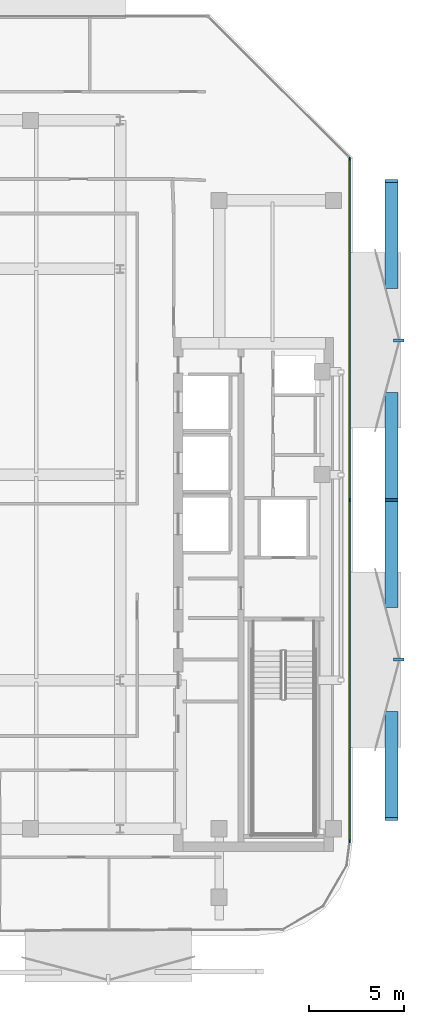
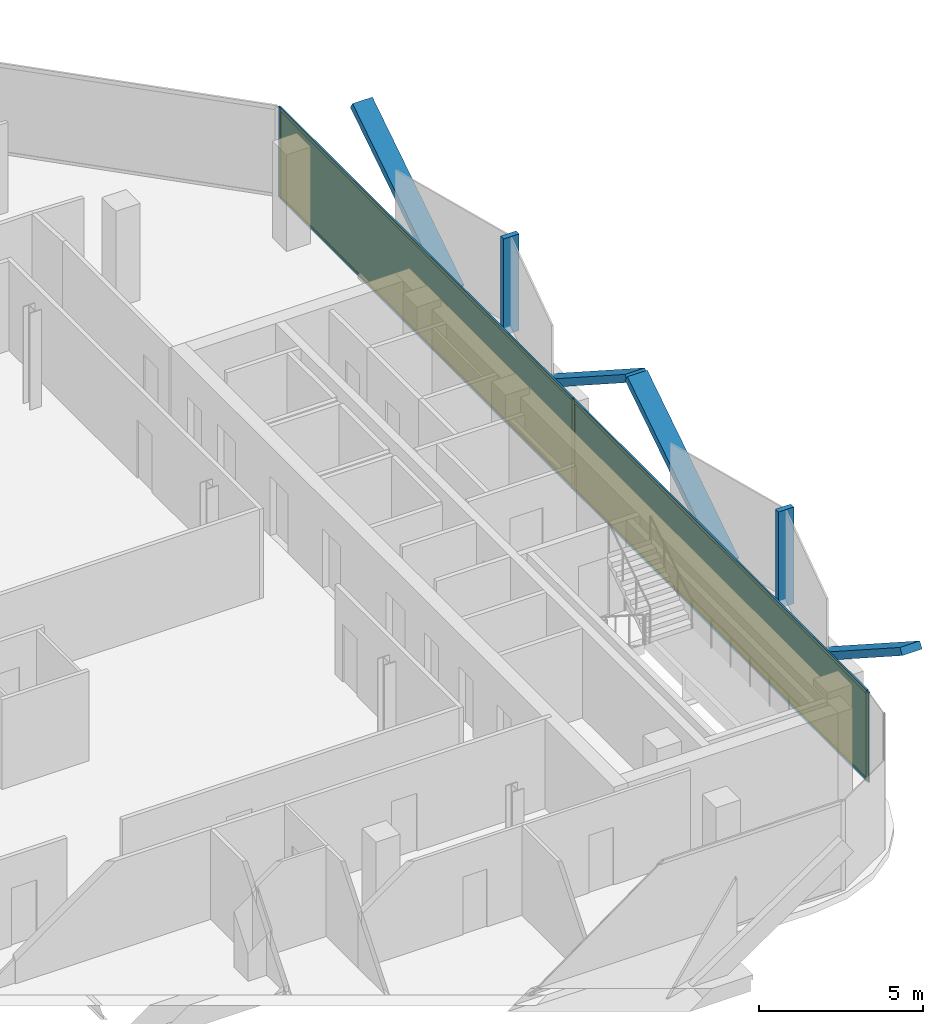
# One storey, part 10 of 15: 13 members, 2 plates, 1 curtain wall.
"""IFC4 building model written with IfcOpenShell, lengths in metres."""

import ifcopenshell
import ifcopenshell.guid

model = None  # the IFC model being written
_history = None  # IfcOwnerHistory: only IFC2X3 demands one
_inside = {}  # id of a spatial element -> (the spatial element, [elements in it])
_under = {}  # id of a project, library or spatial element -> (it, [spatial elements below it])
_declared = {}  # id of a project -> (the project, [libraries it declares])
_typed = {}  # id of a type object -> (the type object, [elements of that type])
_made_of = {}  # id of a material, layer set ... -> (it, [elements and type objects made of it])


def new_model(schema):
    """Start an empty IFC model of exactly this schema.

    Asked for "IFC4X3", IfcOpenShell would pick the latest addendum, in which some entities
    have other attributes; the version numbers below select the first issue.
    IFC2X3 requires an IfcOwnerHistory on every rooted entity: one is made here for all.
    """
    global model, _history
    if schema == "IFC4X3":
        model = ifcopenshell.file(schema_version=(4, 3, 0, 0))
    else:
        model = ifcopenshell.file(schema=schema)
    _inside.clear()
    _under.clear()
    _declared.clear()
    _typed.clear()
    _made_of.clear()
    _history = None
    if model.schema == "IFC2X3":
        org = make("IfcOrganization", Name="unknown")
        user = make(
            "IfcPersonAndOrganization",
            ThePerson=make("IfcPerson", FamilyName="unknown"),
            TheOrganization=org,
        )
        app = make(
            "IfcApplication",
            ApplicationDeveloper=org,
            Version="unknown",
            ApplicationFullName="unknown",
            ApplicationIdentifier="unknown",
        )
        _history = make(
            "IfcOwnerHistory",
            OwningUser=user,
            OwningApplication=app,
            ChangeAction="ADDED",
            CreationDate=0,
        )
    return model


def make(cls, **values):
    """One entity of the class cls with the attributes given. An attribute that is None is left unset."""
    return model.create_entity(
        cls, **{name: value for name, value in values.items() if value is not None}
    )


def rooted(cls, **values):
    """An entity with a GlobalId (a new one), such as an element, a storey or a relation."""
    return make(cls, GlobalId=ifcopenshell.guid.new(), OwnerHistory=_history, **values)


def si_unit(unit_type, name, prefix=None):
    """IfcSIUnit, for example si_unit("LENGTHUNIT", "METRE", prefix="MILLI")."""
    return make("IfcSIUnit", UnitType=unit_type, Prefix=prefix, Name=name)


def assignment(units):
    """IfcUnitAssignment: the units of a project."""
    return None if units is None else make("IfcUnitAssignment", Units=units)


def point(xyz):
    """IfcCartesianPoint."""
    return None if xyz is None else make("IfcCartesianPoint", Coordinates=xyz)


def direction(xyz):
    """IfcDirection."""
    return None if xyz is None else make("IfcDirection", DirectionRatios=xyz)


def frame(location, z_axis=None, x_axis=None):
    """IfcAxis2Placement3D, a coordinate frame: its origin and axes. An axis left out is left unset."""
    return make(
        "IfcAxis2Placement3D",
        Location=point(location),
        Axis=direction(z_axis),
        RefDirection=direction(x_axis),
    )


def frame_2d(location, x_axis=None):
    """IfcAxis2Placement2D, a coordinate frame in the plane: its origin and x axis."""
    return make(
        "IfcAxis2Placement2D", Location=point(location), RefDirection=direction(x_axis)
    )


def origin():
    """The frame at (0, 0, 0) with its axes left unset."""
    return frame((0.0, 0.0, 0.0))


def origin_2d():
    """The frame at (0, 0) in the plane with its x axis left unset."""
    return frame_2d((0.0, 0.0))


def place(relative_to, where):
    """IfcLocalPlacement: puts the frame where relative to a parent placement (None: the world)."""
    return make(
        "IfcLocalPlacement", PlacementRelTo=relative_to, RelativePlacement=where
    )


def context(
    kind, dimensions, precision=None, world=None, true_north=None, identifier=None
):
    """IfcGeometricRepresentationContext, for example the 3D "Model" context."""
    return make(
        "IfcGeometricRepresentationContext",
        ContextIdentifier=identifier,
        ContextType=kind,
        CoordinateSpaceDimension=dimensions,
        Precision=precision,
        WorldCoordinateSystem=world,
        TrueNorth=true_north,
    )


def subcontext(parent, identifier, kind, view, scale=None):
    """IfcGeometricRepresentationSubContext, for example "Body" below "Model"."""
    return make(
        "IfcGeometricRepresentationSubContext",
        ContextIdentifier=identifier,
        ContextType=kind,
        ParentContext=parent,
        TargetScale=scale,
        TargetView=view,
    )


def project(units=None, contexts=None):
    """IfcProject with its units and contexts."""
    return rooted(
        "IfcProject",
        Name="project",
        RepresentationContexts=contexts,
        UnitsInContext=assignment(units),
    )


def spatial(cls, under=None, at=None, **own):
    """A site, building, storey or space (cls), placed at a placement, below another one or the project."""
    s = rooted(cls, ObjectPlacement=at, **own)
    if under is not None:
        _under.setdefault(under.id(), (under, []))[1].append(s)
    return s


def profile(cls, at=None, kind="AREA", **sizes):
    """A parametric profile (cls). Its sizes go by their IFC names, for example OverallWidth=200.0."""
    return make(cls, ProfileType=kind, Position=at, **sizes)


def rectangle(**sizes):
    """IfcRectangleProfileDef."""
    return profile("IfcRectangleProfileDef", **sizes)


def extrude(swept, where, along, depth):
    """IfcExtrudedAreaSolid: the profile swept, set in the frame where, extruded along a direction by depth."""
    return make(
        "IfcExtrudedAreaSolid",
        SweptArea=swept,
        Position=where,
        ExtrudedDirection=direction(along),
        Depth=depth,
    )


def shape(context_of_items, identifier, shape_type, items):
    """IfcShapeRepresentation: the items that make up one representation, for example the "Body"."""
    return make(
        "IfcShapeRepresentation",
        ContextOfItems=context_of_items,
        RepresentationIdentifier=identifier,
        RepresentationType=shape_type,
        Items=items,
    )


def material(Name=None, Category=None):
    """IfcMaterial."""
    return make("IfcMaterial", Name=Name, Category=Category)


def layer(
    of_material, thickness, ventilated=None, Name=None, Category=None, Priority=None
):
    """IfcMaterialLayer: one layer of a wall or slab, of a material (None: an air gap)."""
    return make(
        "IfcMaterialLayer",
        Material=of_material,
        LayerThickness=thickness,
        IsVentilated=ventilated,
        Name=Name,
        Category=Category,
        Priority=Priority,
    )


def layer_set(layers, Name=None):
    """IfcMaterialLayerSet."""
    return make("IfcMaterialLayerSet", MaterialLayers=layers, LayerSetName=Name)


def material_profile(
    of_material, cross_section, Name=None, Category=None, Priority=None
):
    """IfcMaterialProfile: a cross section and its material."""
    return make(
        "IfcMaterialProfile",
        Name=Name,
        Material=of_material,
        Profile=cross_section,
        Priority=Priority,
        Category=Category,
    )


def profile_set(profiles, Name=None, composite=None):
    """IfcMaterialProfileSet."""
    return make(
        "IfcMaterialProfileSet",
        Name=Name,
        MaterialProfiles=profiles,
        CompositeProfile=composite,
    )


def made_of(thing, what):
    """Note that an element or type object is made of a material, layer set ...; save() writes the relation."""
    if what is not None:
        _made_of.setdefault(what.id(), (what, []))[1].append(thing)
    return thing


def type_object(cls, material=None, **own):
    """A type object (cls), such as IfcWallType, which elements share."""
    return made_of(rooted(cls, **own), material)


def element(
    cls,
    number,
    at=None,
    inside=None,
    cuts=None,
    type_object=None,
    material=None,
    context=None,
    identifier="Body",
    shape_type=None,
    held_by="IfcProductDefinitionShape",
    body=None,
    shapes=None,
    **own,
):
    """One element of the class cls, such as IfcWall. Its Tag is "e" and its number.

    at: its placement. inside: the storey or other place that contains it. cuts: it is an
    opening in that element (IfcRelVoidsElement). A single representation is given by context,
    identifier, shape_type and body (its items); several are given by shapes. held_by: the class
    of the entity that holds the representations. save() writes the other relations.
    """
    e = rooted(cls, Tag="e%d" % number, ObjectPlacement=at, **own)
    if body is not None:
        shapes = [shape(context, identifier, shape_type, body)]
    if shapes is not None:
        e.Representation = make(held_by, Representations=shapes)
    if inside is not None:
        _inside.setdefault(inside.id(), (inside, []))[1].append(e)
    if cuts is not None:
        rooted(
            "IfcRelVoidsElement", RelatingBuildingElement=cuts, RelatedOpeningElement=e
        )
    if type_object is not None:
        _typed.setdefault(type_object.id(), (type_object, []))[1].append(e)
    return made_of(e, material)


def aggregate(whole, parts):
    """IfcRelAggregates: a whole, such as a stair, and the parts it consists of."""
    return rooted("IfcRelAggregates", RelatingObject=whole, RelatedObjects=parts)


def save(model, path):
    """Write the relations noted so far, then the file.

    IfcRelAggregates (storeys below a building ...), IfcRelContainedInSpatialStructure (elements
    in a storey), IfcRelDefinesByType, IfcRelAssociatesMaterial and IfcRelDeclares: one each for
    every whole, place, type object, material and project.
    """
    for whole, parts in _under.values():
        aggregate(whole, parts)
    for where, things in _inside.values():
        rooted(
            "IfcRelContainedInSpatialStructure",
            RelatedElements=things,
            RelatingStructure=where,
        )
    for kind, things in _typed.values():
        rooted("IfcRelDefinesByType", RelatedObjects=things, RelatingType=kind)
    for what, things in _made_of.values():
        rooted("IfcRelAssociatesMaterial", RelatedObjects=things, RelatingMaterial=what)
    for by, libraries in _declared.values():
        rooted("IfcRelDeclares", RelatingContext=by, RelatedDefinitions=libraries)
    model.write(path)


model = new_model("IFC4")

# Units and contexts
model_context = context("Model", 3, precision=1e-05, world=origin(), true_north=direction((0.0, 1.0)))
body_context = subcontext(model_context, "Body", "Model", "MODEL_VIEW")
ifc_project = project(units=[si_unit("LENGTHUNIT", "METRE"), si_unit("AREAUNIT", "SQUARE_METRE"), si_unit("VOLUMEUNIT", "CUBIC_METRE"), si_unit("PLANEANGLEUNIT", "RADIAN"), si_unit("MASSUNIT", "GRAM", prefix="KILO")], contexts=[model_context])

# Member
ifc_material_1 = material(Name="Anodised Bronze Aluminium 6063-T6", Category="aluminium")
ifc_material_profile_1 = material_profile(ifc_material_1, rectangle(XDim=0.260009765625, YDim=0.699951171875, at=origin_2d()))
ifc_profile_set_1 = profile_set([ifc_material_profile_1], Name="Anodised Bronze Aluminium 6063-T6")
member_type_1 = type_object("IfcMemberType", Name="Bronze Diamond Solar-Screen Lattice Rib BDL-700", PredefinedType="MULLION", material=ifc_profile_set_1)
site_placement = place(None, origin())
building_placement = place(site_placement, origin())
storey_placement = place(building_placement, frame((0.0, 0.0, 262.0)))
member_1_placement = place(storey_placement, frame((23.449951171875, 4.251220703125, -0.1298828125), z_axis=(0.0, -0.840558395316, 0.541720946673), x_axis=(0.0, -0.541720946673, -0.840558395316)))
member_1 = element("IfcMember", 1, at=member_1_placement, type_object=member_type_1, Name="L62 Bronze Diamond Solar Screen Lattice Rib 431A", PredefinedType="MULLION", context=body_context, shape_type="SweptSolid", body=[
    extrude(rectangle(XDim=0.260009765625, YDim=0.699951171875, at=origin_2d()), origin(), (0.0, 0.0, 1.0), 6.645263671875),
])

member_2_placement = place(storey_placement, frame((23.449951171875, 9.83642578125, -0.1298828125), z_axis=(0.0, 0.840558395316, 0.541720946673), x_axis=(0.0, 0.541720946673, -0.840558395316)))
member_2 = element("IfcMember", 2, at=member_2_placement, type_object=member_type_1, Name="L62 Bronze Diamond Solar Screen Lattice Rib 431B", PredefinedType="MULLION", context=body_context, shape_type="SweptSolid", body=[
    extrude(rectangle(XDim=0.260009765625, YDim=0.699951171875, at=origin_2d()), origin(), (0.0, 0.0, 1.0), 6.645263671875),
])

member_3_placement = place(storey_placement, frame((23.449951171875, -12.50537109375, -0.1298828125), z_axis=(0.0, -0.840547613244, 0.541737676251), x_axis=(0.0, -0.541737676251, -0.840547613244)))
member_3 = element("IfcMember", 3, at=member_3_placement, type_object=member_type_1, Name="L62 Bronze Diamond Solar Screen Lattice Rib 432A", PredefinedType="MULLION", context=body_context, shape_type="SweptSolid", body=[
    extrude(rectangle(XDim=0.260009765625, YDim=0.699951171875, at=origin_2d()), origin(), (0.0, 0.0, 1.0), 6.64501953125),
])

member_4_placement = place(storey_placement, frame((23.449951171875, -6.919921875, -0.1298828125), z_axis=(0.0, 0.840547613244, 0.541737676251), x_axis=(0.0, 0.541737676251, -0.840547613244)))
member_4 = element("IfcMember", 4, at=member_4_placement, type_object=member_type_1, Name="L62 Bronze Diamond Solar Screen Lattice Rib 432B", PredefinedType="MULLION", context=body_context, shape_type="SweptSolid", body=[
    extrude(rectangle(XDim=0.260009765625, YDim=0.699951171875, at=origin_2d()), origin(), (0.0, 0.0, 1.0), 6.64501953125),
])

ifc_material_2 = material(Name="Anodised Bronze Aluminium 6063-T6", Category="aluminium")
ifc_material_profile_2 = material_profile(ifc_material_2, rectangle(XDim=0.179931640625, YDim=0.5400390625, at=origin_2d()))
ifc_profile_set_2 = profile_set([ifc_material_profile_2], Name="Anodised Bronze Aluminium 6063-T6")
member_type_2 = type_object("IfcMemberType", Name="Bronze Solar-Screen Vertical Fold Fin BSF-540", PredefinedType="MULLION", material=ifc_profile_set_2)
member_5_placement = place(storey_placement, frame((23.840087890625, 7.043701171875, -0.1298828125), z_axis=(0.0, 0.0, 1.0), x_axis=(0.0, -1.0, 0.0)))
member_5 = element("IfcMember", 5, at=member_5_placement, type_object=member_type_2, Name="L62 Bronze Solar Screen Vertical Fin 431", PredefinedType="MULLION", context=body_context, shape_type="SweptSolid", body=[
    extrude(rectangle(XDim=0.179931640625, YDim=0.5400390625, at=origin_2d()), origin(), (0.0, 0.0, 1.0), 3.599853515625),
])

member_6_placement = place(storey_placement, frame((23.840087890625, -9.712646484375, -0.1298828125), z_axis=(0.0, 0.0, 1.0), x_axis=(0.0, -1.0, 0.0)))
member_6 = element("IfcMember", 6, at=member_6_placement, type_object=member_type_2, Name="L62 Bronze Solar Screen Vertical Fin 432", PredefinedType="MULLION", context=body_context, shape_type="SweptSolid", body=[
    extrude(rectangle(XDim=0.179931640625, YDim=0.5400390625, at=origin_2d()), origin(), (0.0, 0.0, 1.0), 3.599853515625),
])

ifc_material_3 = material(Name="Anodised Bronze Aluminium 6063-T6", Category="aluminium")
ifc_material_profile_3 = material_profile(ifc_material_3, rectangle(XDim=0.06005859375, YDim=0.159912109375, at=origin_2d()))
ifc_profile_set_3 = profile_set([ifc_material_profile_3], Name="Anodised Bronze Aluminium 6063-T6")
member_type_3 = type_object("IfcMemberType", Name="CW-Z4 Mullion 60x160", PredefinedType="MULLION", material=ifc_profile_set_3)
member_7_placement = place(storey_placement, frame((21.260009765625, 16.592041015625, 0.0), z_axis=(0.0, 0.0, 1.0), x_axis=(1.0, 0.0, 0.0)))
member_7 = element("IfcMember", 7, at=member_7_placement, type_object=member_type_3, Name="CW-Z4 mullion 1", PredefinedType="MULLION", context=body_context, shape_type="SweptSolid", body=[
    extrude(rectangle(XDim=0.06005859375, YDim=0.159912109375, at=origin_2d()), origin(), (0.0, 0.0, 1.0), 3.340087890625),
])

member_8_placement = place(storey_placement, frame((21.260009765625, -1.33447265625, 0.0), z_axis=(0.0, 0.0, 1.0), x_axis=(1.0, 0.0, 0.0)))
member_8 = element("IfcMember", 8, at=member_8_placement, type_object=member_type_3, Name="CW-Z4 mullion 2", PredefinedType="MULLION", context=body_context, shape_type="SweptSolid", body=[
    extrude(rectangle(XDim=0.06005859375, YDim=0.159912109375, at=origin_2d()), origin(), (0.0, 0.0, 1.0), 3.340087890625),
])

member_9_placement = place(storey_placement, frame((21.260009765625, -19.2607421875, 0.0), z_axis=(0.0, 0.0, 1.0), x_axis=(1.0, 0.0, 0.0)))
member_9 = element("IfcMember", 9, at=member_9_placement, type_object=member_type_3, Name="CW-Z4 mullion 3", PredefinedType="MULLION", context=body_context, shape_type="SweptSolid", body=[
    extrude(rectangle(XDim=0.06005859375, YDim=0.159912109375, at=origin_2d()), origin(), (0.0, 0.0, 1.0), 3.340087890625),
])

ifc_material_4 = material(Name="Anodised Bronze Aluminium 6063-T6", Category="aluminium")
ifc_material_profile_4 = material_profile(ifc_material_4, rectangle(XDim=0.06005859375, YDim=0.125, at=origin_2d()))
ifc_profile_set_4 = profile_set([ifc_material_profile_4], Name="Anodised Bronze Aluminium 6063-T6")
member_type_4 = type_object("IfcMemberType", Name="CW-Z4 Transom 60x125", PredefinedType="USERDEFINED", material=ifc_profile_set_4)
member_10_placement = place(storey_placement, frame((21.260009765625, 16.56201171875, 0.030029296875), z_axis=(0.0, -1.0, 0.0), x_axis=(1.0, 0.0, 0.0)))
member_10 = element("IfcMember", 10, at=member_10_placement, type_object=member_type_4, Name="CW-Z4 transom 1.1", ObjectType="TRANSOM", PredefinedType="USERDEFINED", context=body_context, shape_type="SweptSolid", body=[
    extrude(rectangle(XDim=0.06005859375, YDim=0.125, at=origin_2d()), origin(), (0.0, 0.0, 1.0), 17.866455078125),
])

member_11_placement = place(storey_placement, frame((21.260009765625, 16.56201171875, 3.31005859375), z_axis=(0.0, -1.0, 0.0), x_axis=(1.0, 0.0, 0.0)))
member_11 = element("IfcMember", 11, at=member_11_placement, type_object=member_type_4, Name="CW-Z4 transom 1.2", ObjectType="TRANSOM", PredefinedType="USERDEFINED", context=body_context, shape_type="SweptSolid", body=[
    extrude(rectangle(XDim=0.06005859375, YDim=0.125, at=origin_2d()), origin(), (0.0, 0.0, 1.0), 17.866455078125),
])

member_12_placement = place(storey_placement, frame((21.260009765625, -1.364501953125, 0.030029296875), z_axis=(0.0, -1.0, 0.0), x_axis=(1.0, 0.0, 0.0)))
member_12 = element("IfcMember", 12, at=member_12_placement, type_object=member_type_4, Name="CW-Z4 transom 2.1", ObjectType="TRANSOM", PredefinedType="USERDEFINED", context=body_context, shape_type="SweptSolid", body=[
    extrude(rectangle(XDim=0.06005859375, YDim=0.125, at=origin_2d()), origin(), (0.0, 0.0, 1.0), 17.8662109375),
])

member_13_placement = place(storey_placement, frame((21.260009765625, -1.364501953125, 3.31005859375), z_axis=(0.0, -1.0, 0.0), x_axis=(1.0, 0.0, 0.0)))
member_13 = element("IfcMember", 13, at=member_13_placement, type_object=member_type_4, Name="CW-Z4 transom 2.2", ObjectType="TRANSOM", PredefinedType="USERDEFINED", context=body_context, shape_type="SweptSolid", body=[
    extrude(rectangle(XDim=0.06005859375, YDim=0.125, at=origin_2d()), origin(), (0.0, 0.0, 1.0), 17.8662109375),
])

# Plate
ifc_material_5 = material(Name="Low-E Solar Control Laminated Glass", Category="glass")
ifc_layer_1 = layer(ifc_material_5, 0.030029296875, Name="Low-E Solar Control Laminated Glass")
ifc_layer_set_1 = layer_set([ifc_layer_1], Name="Low-E Solar Control Laminated Glass")
plate_type = type_object("IfcPlateType", Name="CW-Z4 Low-E Double Glazed Panel 30mm", PredefinedType="CURTAIN_PANEL", material=ifc_layer_set_1)
plate_1_placement = place(storey_placement, frame((21.260009765625, 7.62890625, 0.06005859375), z_axis=(0.0, 0.0, 1.0), x_axis=(0.0, -1.0, 0.0)))
plate_1 = element("IfcPlate", 14, at=plate_1_placement, type_object=plate_type, Name="CW-Z4 panel 1.1", PredefinedType="CURTAIN_PANEL", context=body_context, shape_type="SweptSolid", body=[
    extrude(rectangle(XDim=17.866455078125, YDim=0.030029296875, at=origin_2d()), origin(), (0.0, 0.0, 1.0), 3.219970703125),
])

plate_2_placement = place(storey_placement, frame((21.260009765625, -10.297607421875, 0.06005859375), z_axis=(0.0, 0.0, 1.0), x_axis=(0.0, -1.0, 0.0)))
plate_2 = element("IfcPlate", 15, at=plate_2_placement, type_object=plate_type, Name="CW-Z4 panel 2.1", PredefinedType="CURTAIN_PANEL", context=body_context, shape_type="SweptSolid", body=[
    extrude(rectangle(XDim=17.866455078125, YDim=0.030029296875, at=origin_2d()), origin(), (0.0, 0.0, 1.0), 3.219970703125),
])

# Site, building, storey
site = spatial("IfcSite", under=ifc_project, at=site_placement, CompositionType="ELEMENT")
building = spatial("IfcBuilding", under=site, at=building_placement, Name="Khairoan Windgate Tower", CompositionType="ELEMENT")
storey = spatial("IfcBuildingStorey", under=building, at=storey_placement, Name="L62", CompositionType="ELEMENT", Elevation=262.0)

# Curtain wall
ifc_material_6 = material(Name="Anodised Bronze Aluminium 6063-T6", Category="aluminium")
ifc_layer_2 = layer(ifc_material_6, 0.159912109375, Name="Anodised Bronze Aluminium 6063-T6")
ifc_layer_set_2 = layer_set([ifc_layer_2], Name="Anodised Bronze Aluminium 6063-T6")
curtain_wall_type = type_object("IfcCurtainWallType", Name="Sky Residence Unitised Curtain Wall CW-Z4", PredefinedType="NOTDEFINED", material=ifc_layer_set_2)
curtain_wall_placement = place(storey_placement, frame((21.260009765625, 16.6220703125, 0.0), z_axis=(0.0, 0.0, 1.0), x_axis=(0.0, -1.0, 0.0)))
curtain_wall = element("IfcCurtainWall", 16, at=curtain_wall_placement, inside=storey, type_object=curtain_wall_type, Name="L62 Unitised Curtain Wall 11", PredefinedType="NOTDEFINED", context=body_context, shape_type="SweptSolid", body=[
    extrude(rectangle(XDim=35.912841796875, YDim=0.010009765625, at=frame_2d((17.95654296875, 0.0))), origin(), (0.0, 0.0, 1.0), 3.340087890625),
])

aggregate(curtain_wall, [member_7, member_8, member_9, member_10, member_11, plate_1, member_12, member_13, plate_2, member_1, member_2, member_5, member_3, member_4, member_6])

save(model, "model.ifc")
